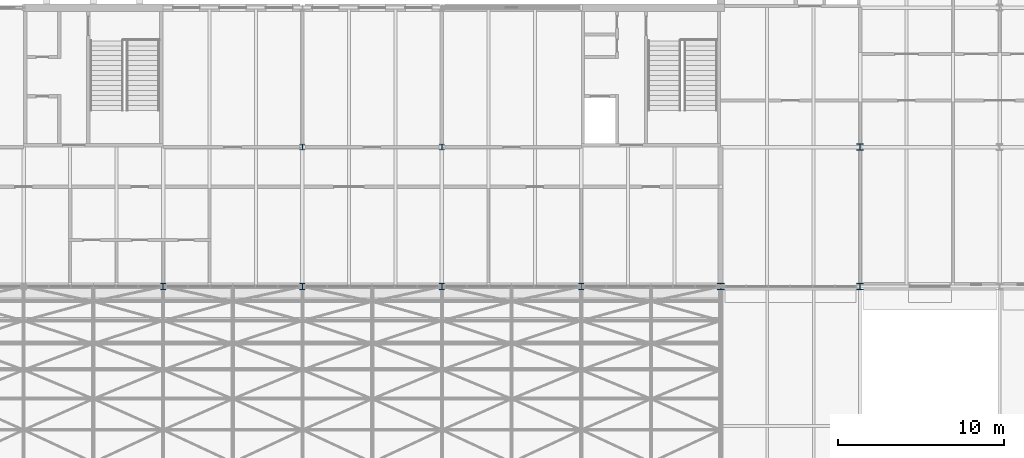
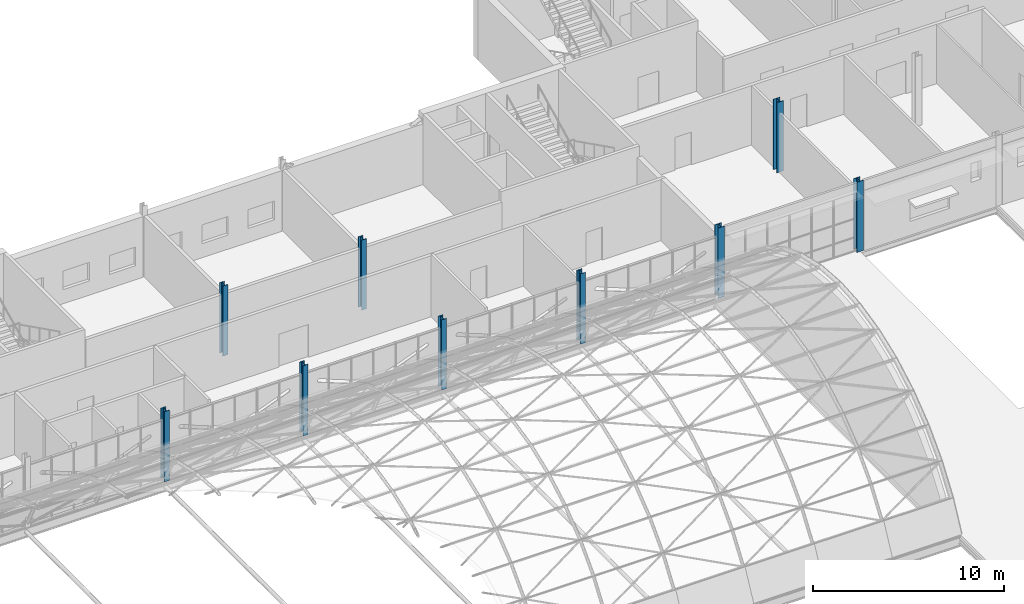
# One storey, part 2 of 121: 9 columns.
"""IFC4 building model written with IfcOpenShell, lengths in metres."""

from ifc_helpers import new_model, si_unit, direction, frame, origin, origin_2d, place, context, subcontext, project, spatial, i_section, extrude, material, material_profile, profile_set, type_object, element, save


model = new_model("IFC4")

# Units and contexts
model_context = context("Model", 3, precision=1e-05, world=origin(), true_north=direction((0.0, 1.0)))
body_context = subcontext(model_context, "Body", "Model", "MODEL_VIEW")
ifc_project = project(units=[si_unit("LENGTHUNIT", "METRE"), si_unit("AREAUNIT", "SQUARE_METRE"), si_unit("VOLUMEUNIT", "CUBIC_METRE"), si_unit("PLANEANGLEUNIT", "RADIAN"), si_unit("MASSUNIT", "GRAM", prefix="KILO")], contexts=[model_context])

# Site, building, storey
site_placement = place(None, origin())
site = spatial("IfcSite", under=ifc_project, at=site_placement, CompositionType="ELEMENT")
building_placement = place(site_placement, origin())
building = spatial("IfcBuilding", under=site, at=building_placement, Name="Ardhachandra Cancer Care Centre", CompositionType="ELEMENT")
storey_placement = place(building_placement, frame((0.0, 0.0, 9.0)))
storey = spatial("IfcBuildingStorey", under=building, at=storey_placement, Name="L02", CompositionType="ELEMENT", Elevation=9.0)

# Columns
ifc_material_1 = material(Name="Steel E350 (IS 2062)", Category="steel")
ifc_material_profile_1 = material_profile(ifc_material_1, i_section(OverallWidth=0.300048828125, OverallDepth=0.360107421875, WebThickness=0.012451171875, FlangeThickness=0.0224609375, FilletRadius=0.027099609375, at=origin_2d()), Name="WPB 360x300x141.80")
ifc_profile_set_1 = profile_set([ifc_material_profile_1], Name="Steel E350 (IS 2062)")
column_type_1 = type_object("IfcColumnType", Name="Column WPB 360x300x141.80", PredefinedType="COLUMN", material=ifc_profile_set_1)
for number, where, z_axis, x_axis, name in (
    (1, (86.39990234375, 88.199951171875, 0.0), (0.0, 0.0, 1.0), (1.0, 0.0, 0.0), "Column K10 L02"),
    (2, (94.800048828125, 88.199951171875, 0.0), (0.0, 0.0, 1.0), (1.0, 0.0, 0.0), "Column K11 L02"),
):
    element("IfcColumn", number, at=place(storey_placement, frame(where, z_axis=z_axis, x_axis=x_axis)), inside=storey, type_object=column_type_1, Name=name, PredefinedType="COLUMN", context=body_context, shape_type="SweptSolid", body=[
        extrude(i_section(OverallWidth=0.300048828125, OverallDepth=0.360107421875, WebThickness=0.012451171875, FlangeThickness=0.0224609375, FilletRadius=0.027099609375, at=origin_2d()), origin(), (0.0, 0.0, 1.0), 4.5),
    ])
ifc_material_2 = material(Name="Steel E350 (IS 2062)", Category="steel")
ifc_material_profile_2 = material_profile(ifc_material_2, i_section(OverallWidth=0.300048828125, OverallDepth=0.39990234375, WebThickness=0.013427734375, FlangeThickness=0.02392578125, FilletRadius=0.027099609375, at=origin_2d()), Name="WPB 400x300x155.26")
ifc_profile_set_2 = profile_set([ifc_material_profile_2], Name="Steel E350 (IS 2062)")
column_type_2 = type_object("IfcColumnType", Name="Column WPB 400x300x155.26", PredefinedType="COLUMN", material=ifc_profile_set_2)
for number, where, z_axis, x_axis, name in (
    (3, (78.0, 79.800048828125, 0.0), (0.0, 0.0, 1.0), (1.0, 0.0, 0.0), "Column J9 L02"),
    (4, (86.39990234375, 79.800048828125, 0.0), (0.0, 0.0, 1.0), (1.0, 0.0, 0.0), "Column J10 L02"),
    (5, (94.800048828125, 79.800048828125, 0.0), (0.0, 0.0, 1.0), (1.0, 0.0, 0.0), "Column J11 L02"),
    (6, (103.199951171875, 79.800048828125, 0.0), (0.0, 0.0, 1.0), (1.0, 0.0, 0.0), "Column J12 L02"),
):
    element("IfcColumn", number, at=place(storey_placement, frame(where, z_axis=z_axis, x_axis=x_axis)), inside=storey, type_object=column_type_2, Name=name, PredefinedType="COLUMN", context=body_context, shape_type="SweptSolid", body=[
        extrude(i_section(OverallWidth=0.300048828125, OverallDepth=0.39990234375, WebThickness=0.013427734375, FlangeThickness=0.02392578125, FilletRadius=0.027099609375, at=origin_2d()), origin(), (0.0, 0.0, 1.0), 4.5),
    ])
ifc_material_3 = material(Name="Steel E350 (IS 2062)", Category="steel")
ifc_material_profile_3 = material_profile(ifc_material_3, i_section(OverallWidth=0.39501953125, OverallDepth=0.3798828125, WebThickness=0.018798828125, FlangeThickness=0.0302734375, FilletRadius=0.027099609375, at=origin_2d()), Name="WPB 400x400x239.62")
ifc_profile_set_3 = profile_set([ifc_material_profile_3], Name="Steel E350 (IS 2062)")
column_type_3 = type_object("IfcColumnType", Name="Column WPB 400x400x239.62", PredefinedType="COLUMN", material=ifc_profile_set_3)
for number, where, z_axis, x_axis, name in (
    (7, (111.60009765625, 79.800048828125, 0.0), (0.0, 0.0, 1.0), (1.0, 0.0, 0.0), "Column J13 L02"),
    (8, (120.0, 79.800048828125, 0.0), (0.0, 0.0, 1.0), (1.0, 0.0, 0.0), "Column J14 L02"),
    (9, (120.0, 88.199951171875, 0.0), (0.0, 0.0, 1.0), (1.0, 0.0, 0.0), "Column K14 L02"),
):
    element("IfcColumn", number, at=place(storey_placement, frame(where, z_axis=z_axis, x_axis=x_axis)), inside=storey, type_object=column_type_3, Name=name, PredefinedType="COLUMN", context=body_context, shape_type="SweptSolid", body=[
        extrude(i_section(OverallWidth=0.39501953125, OverallDepth=0.3798828125, WebThickness=0.018798828125, FlangeThickness=0.0302734375, FilletRadius=0.027099609375, at=origin_2d()), origin(), (0.0, 0.0, 1.0), 4.5),
    ])

save(model, "model.ifc")
